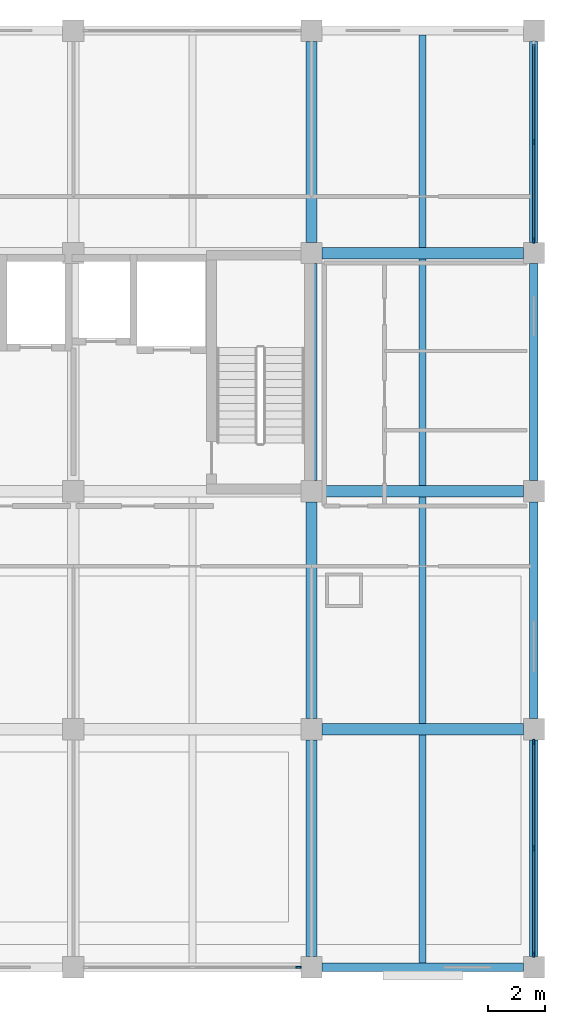
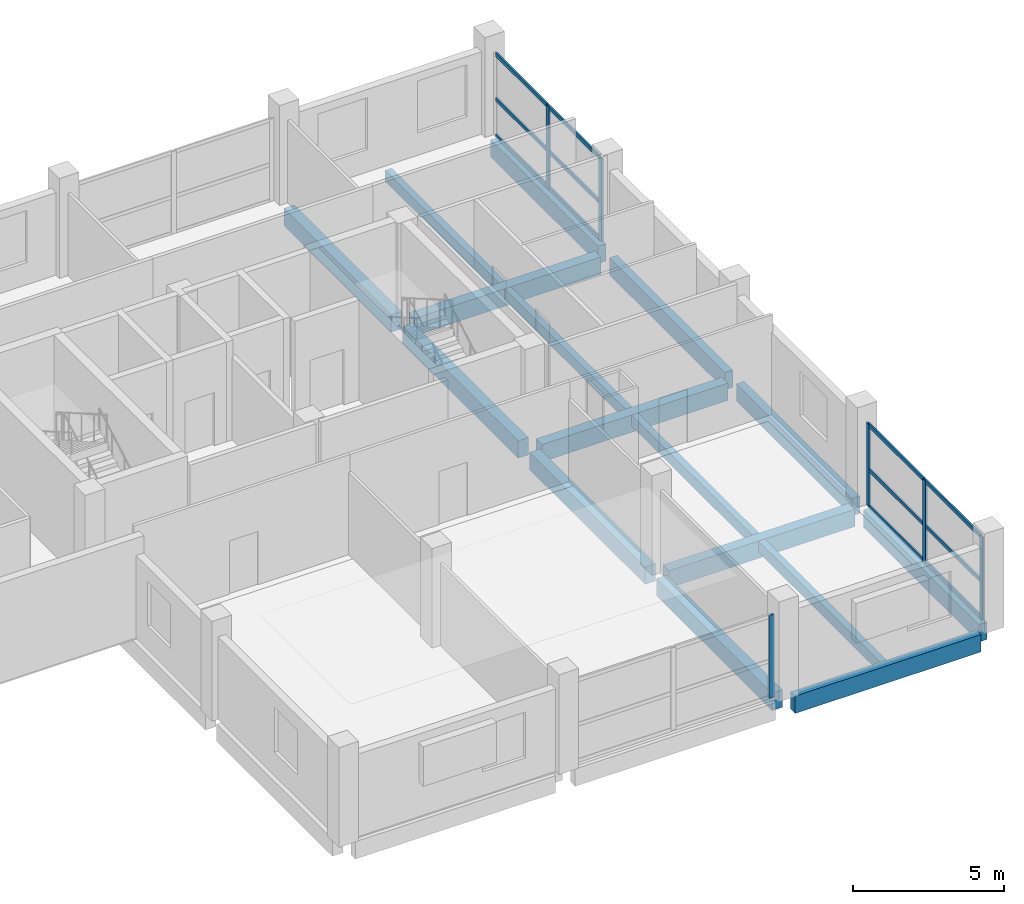
# One storey, part 4 of 9: 18 members, 16 beams, 3 elements without a shape of their own.
"""IFC4 building model written with IfcOpenShell, lengths in metres."""

from ifc_helpers import new_model, si_unit, direction, frame, origin, origin_2d, place, context, subcontext, project, spatial, rectangle, extrude, material, material_profile, profile_set, type_object, element, aggregate, save


model = new_model("IFC4")

# Units and contexts
model_context = context("Model", 3, precision=1e-05, world=origin(), true_north=direction((0.0, 1.0)))
body_context = subcontext(model_context, "Body", "Model", "MODEL_VIEW")
ifc_project = project(units=[si_unit("LENGTHUNIT", "METRE"), si_unit("AREAUNIT", "SQUARE_METRE"), si_unit("VOLUMEUNIT", "CUBIC_METRE"), si_unit("PLANEANGLEUNIT", "RADIAN"), si_unit("MASSUNIT", "GRAM", prefix="KILO")], contexts=[model_context])

# Site, building, storey
site_placement = place(None, origin())
site = spatial("IfcSite", under=ifc_project, at=site_placement, CompositionType="ELEMENT")
building_placement = place(site_placement, origin())
building = spatial("IfcBuilding", under=site, at=building_placement, Name="Brinegate Botanical Conservatory", CompositionType="ELEMENT")
storey_placement = place(building_placement, frame((0.0, 0.0, 52.800048828125)))
storey = spatial("IfcBuildingStorey", under=building, at=storey_placement, Name="L13", CompositionType="ELEMENT", Elevation=52.800048828125)

# Beams
ifc_material_1 = material(Name="Concrete C40/50", Category="concrete")
ifc_material_profile_1 = material_profile(ifc_material_1, rectangle(XDim=0.39990234375, YDim=0.699951171875, at=origin_2d()), Name="RC BM 400x700")
ifc_profile_set_1 = profile_set([ifc_material_profile_1], Name="Concrete C40/50")
beam_type_1 = type_object("IfcBeamType", Name="Beam_BM-T2", PredefinedType="BEAM", material=ifc_profile_set_1)
for number, where, z_axis, x_axis, name in (
    (1, (155.97509765625, 86.800048828125, -0.52001953125), (1.0, 0.0, 0.0), (0.0, 1.0, 0.0), "Beam BM-T2 L13 L:20-21"),
    (2, (155.97509765625, 95.199951171875, -0.52001953125), (1.0, 0.0, 0.0), (0.0, 1.0, 0.0), "Beam BM-T2 L13 M:20-21"),
    (3, (155.97509765625, 103.60009765625, -0.52001953125), (1.0, 0.0, 0.0), (0.0, 1.0, 0.0), "Beam BM-T2 L13 N:20-21"),
):
    element("IfcBeam", number, at=place(storey_placement, frame(where, z_axis=z_axis, x_axis=x_axis)), inside=storey, type_object=beam_type_1, Name=name, PredefinedType="BEAM", context=body_context, shape_type="SweptSolid", body=[
        extrude(rectangle(XDim=0.39990234375, YDim=0.699951171875, at=origin_2d()), origin(), (0.0, 0.0, 1.0), 7.099853515625),
    ])
beam_1_placement = place(storey_placement, frame((155.60009765625, 78.77490234375, -0.52001953125), z_axis=(0.0, 1.0, 0.0), x_axis=(-1.0, 0.0, 0.0)))
element("IfcBeam", 4, at=beam_1_placement, inside=storey, type_object=beam_type_1, Name="Beam BM-T2 L13 20:K-L", PredefinedType="BEAM", context=body_context, shape_type="SweptSolid", body=[
    extrude(rectangle(XDim=0.39990234375, YDim=0.699951171875, at=origin_2d()), origin(), (0.0, 0.0, 1.0), 7.650146484375),
])
beam_2_placement = place(storey_placement, frame((155.60009765625, 87.175048828125, -0.52001953125), z_axis=(0.0, 1.0, 0.0), x_axis=(-1.0, 0.0, 0.0)))
element("IfcBeam", 5, at=beam_2_placement, inside=storey, type_object=beam_type_1, Name="Beam BM-T2 L13 20:L-M", PredefinedType="BEAM", context=body_context, shape_type="SweptSolid", body=[
    extrude(rectangle(XDim=0.39990234375, YDim=0.699951171875, at=origin_2d()), origin(), (0.0, 0.0, 1.0), 7.64990234375),
])
beam_3_placement = place(storey_placement, frame((155.60009765625, 95.574951171875, -0.52001953125), z_axis=(0.0, 1.0, 0.0), x_axis=(-1.0, 0.0, 0.0)))
element("IfcBeam", 6, at=beam_3_placement, inside=storey, type_object=beam_type_1, Name="Beam BM-T2 L13 20:M-N", PredefinedType="BEAM", context=body_context, shape_type="SweptSolid", body=[
    extrude(rectangle(XDim=0.39990234375, YDim=0.699951171875, at=origin_2d()), origin(), (0.0, 0.0, 1.0), 7.650146484375),
])
beam_4_placement = place(storey_placement, frame((155.60009765625, 103.97509765625, -0.52001953125), z_axis=(0.0, 1.0, 0.0), x_axis=(-1.0, 0.0, 0.0)))
element("IfcBeam", 7, at=beam_4_placement, inside=storey, type_object=beam_type_1, Name="Beam BM-T2 L13 20:N-P", PredefinedType="BEAM", context=body_context, shape_type="SweptSolid", body=[
    extrude(rectangle(XDim=0.39990234375, YDim=0.699951171875, at=origin_2d()), origin(), (0.0, 0.0, 1.0), 7.099853515625),
])
ifc_material_profile_2 = material_profile(ifc_material_1, rectangle(XDim=0.25, YDim=0.449951171875, at=origin_2d()), Name="RC JST 250x450")
ifc_profile_set_2 = profile_set([ifc_material_profile_2], Name="Concrete C40/50")
beam_type_2 = type_object("IfcBeamType", Name="Beam_JS-C3", PredefinedType="JOIST", material=ifc_profile_set_2)
beam_5_placement = place(storey_placement, frame((159.52490234375, 78.550048828125, -0.39501953125), z_axis=(0.0, 1.0, 0.0), x_axis=(-1.0, 0.0, 0.0)))
element("IfcBeam", 8, at=beam_5_placement, inside=storey, type_object=beam_type_2, Name="Floor joist JS-C3 L13 bay 20.10", PredefinedType="JOIST", context=body_context, shape_type="SweptSolid", body=[
    extrude(rectangle(XDim=0.25, YDim=0.449951171875, at=origin_2d()), origin(), (0.0, 0.0, 1.0), 8.050048828125),
])
for number, where, z_axis, x_axis, name in (
    (9, (159.52490234375, 87.0, -0.39501953125), (0.0, 1.0, 0.0), (-1.0, 0.0, 0.0), "Floor joist JS-C3 L13 bay 20.11"),
    (10, (159.52490234375, 95.39990234375, -0.39501953125), (0.0, 1.0, 0.0), (-1.0, 0.0, 0.0), "Floor joist JS-C3 L13 bay 20.12"),
):
    element("IfcBeam", number, at=place(storey_placement, frame(where, z_axis=z_axis, x_axis=x_axis)), inside=storey, type_object=beam_type_2, Name=name, PredefinedType="JOIST", context=body_context, shape_type="SweptSolid", body=[
        extrude(rectangle(XDim=0.25, YDim=0.449951171875, at=origin_2d()), origin(), (0.0, 0.0, 1.0), 8.0),
    ])
beam_6_placement = place(storey_placement, frame((159.52490234375, 103.800048828125, -0.39501953125), z_axis=(0.0, 1.0, 0.0), x_axis=(-1.0, 0.0, 0.0)))
element("IfcBeam", 11, at=beam_6_placement, inside=storey, type_object=beam_type_2, Name="Floor joist JS-C3 L13 bay 20.13", PredefinedType="JOIST", context=body_context, shape_type="SweptSolid", body=[
    extrude(rectangle(XDim=0.25, YDim=0.449951171875, at=origin_2d()), origin(), (0.0, 0.0, 1.0), 7.5),
])
ifc_material_profile_3 = material_profile(ifc_material_1, rectangle(XDim=0.300048828125, YDim=0.699951171875, at=origin_2d()), Name="RC SPN 300x700")
ifc_profile_set_3 = profile_set([ifc_material_profile_3], Name="Concrete C40/50")
beam_type_3 = type_object("IfcBeamType", Name="Beam_SP-02", PredefinedType="SPANDREL", material=ifc_profile_set_3)
beam_7_placement = place(storey_placement, frame((155.97509765625, 78.39990234375, -0.52001953125), z_axis=(1.0, 0.0, 0.0), x_axis=(0.0, 1.0, 0.0)))
element("IfcBeam", 12, at=beam_7_placement, inside=storey, type_object=beam_type_3, Name="Beam SP-02 L13 K:20-21", PredefinedType="SPANDREL", context=body_context, shape_type="SweptSolid", body=[
    extrude(rectangle(XDim=0.300048828125, YDim=0.699951171875, at=origin_2d()), origin(), (0.0, 0.0, 1.0), 7.099853515625),
])
beam_8_placement = place(storey_placement, frame((163.449951171875, 78.77490234375, -0.52001953125), z_axis=(0.0, 1.0, 0.0), x_axis=(-1.0, 0.0, 0.0)))
element("IfcBeam", 13, at=beam_8_placement, inside=storey, type_object=beam_type_3, Name="Beam SP-02 L13 21:K-L", PredefinedType="SPANDREL", context=body_context, shape_type="SweptSolid", body=[
    extrude(rectangle(XDim=0.300048828125, YDim=0.699951171875, at=origin_2d()), origin(), (0.0, 0.0, 1.0), 7.650146484375),
])
beam_9_placement = place(storey_placement, frame((163.449951171875, 87.175048828125, -0.52001953125), z_axis=(0.0, 1.0, 0.0), x_axis=(-1.0, 0.0, 0.0)))
element("IfcBeam", 14, at=beam_9_placement, inside=storey, type_object=beam_type_3, Name="Beam SP-02 L13 21:L-M", PredefinedType="SPANDREL", context=body_context, shape_type="SweptSolid", body=[
    extrude(rectangle(XDim=0.300048828125, YDim=0.699951171875, at=origin_2d()), origin(), (0.0, 0.0, 1.0), 7.64990234375),
])
beam_10_placement = place(storey_placement, frame((163.449951171875, 95.574951171875, -0.52001953125), z_axis=(0.0, 1.0, 0.0), x_axis=(-1.0, 0.0, 0.0)))
element("IfcBeam", 15, at=beam_10_placement, inside=storey, type_object=beam_type_3, Name="Beam SP-02 L13 21:M-N", PredefinedType="SPANDREL", context=body_context, shape_type="SweptSolid", body=[
    extrude(rectangle(XDim=0.300048828125, YDim=0.699951171875, at=origin_2d()), origin(), (0.0, 0.0, 1.0), 7.650146484375),
])
beam_11_placement = place(storey_placement, frame((163.449951171875, 103.97509765625, -0.52001953125), z_axis=(0.0, 1.0, 0.0), x_axis=(-1.0, 0.0, 0.0)))
element("IfcBeam", 16, at=beam_11_placement, inside=storey, type_object=beam_type_3, Name="Beam SP-02 L13 21:N-P", PredefinedType="SPANDREL", context=body_context, shape_type="SweptSolid", body=[
    extrude(rectangle(XDim=0.300048828125, YDim=0.699951171875, at=origin_2d()), origin(), (0.0, 0.0, 1.0), 7.099853515625),
])

# Curtain wall, member
ifc_material_2 = material(Name="Thermally broken anodised aluminium AW-6063-T6", Category="aluminium")
curtain_wall_type = type_object("IfcCurtainWallType", Name="CW_CW-TW1", PredefinedType="USERDEFINED", material=ifc_material_2)
curtain_wall_1_placement = place(storey_placement, origin())
curtain_wall_1 = element("IfcCurtainWall", 17, at=curtain_wall_1_placement, inside=storey, type_object=curtain_wall_type, Name="Tower south curtain wall L13.2", ObjectType="FACTORY CURTAIN WALL", PredefinedType="USERDEFINED")
ifc_material_profile_4 = material_profile(ifc_material_2, rectangle(XDim=0.070068359375, YDim=0.199951171875, at=origin_2d()), Name="ALUM MULLION 70x200")
ifc_profile_set_4 = profile_set([ifc_material_profile_4], Name="Thermally broken anodised aluminium AW-6063-T6")
member_type_1 = type_object("IfcMemberType", Name="Member_ML-03", PredefinedType="MULLION", material=ifc_profile_set_4)
member_1_placement = place(storey_placement, frame((155.14990234375, 78.39990234375, 0.0), z_axis=(0.0, 0.0, 1.0), x_axis=(0.0, -1.0, 0.0)))
member_1 = element("IfcMember", 18, at=member_1_placement, type_object=member_type_1, Name="CW-TW1 mullion 1", PredefinedType="MULLION", context=body_context, shape_type="SweptSolid", body=[
    extrude(rectangle(XDim=0.070068359375, YDim=0.199951171875, at=origin_2d()), origin(), (0.0, 0.0, 1.0), 3.329833984375),
])
aggregate(curtain_wall_1, [member_1])

# Curtain wall, members
curtain_wall_2_placement = place(storey_placement, origin())
curtain_wall_2 = element("IfcCurtainWall", 19, at=curtain_wall_2_placement, inside=storey, type_object=curtain_wall_type, Name="Tower east curtain wall L13.1", ObjectType="FACTORY CURTAIN WALL", PredefinedType="USERDEFINED")
member_2_placement = place(storey_placement, frame((163.449951171875, 86.35009765625, 0.0), z_axis=(0.0, 0.0, 1.0), x_axis=(1.0, 0.0, 0.0)))
member_2 = element("IfcMember", 20, at=member_2_placement, type_object=member_type_1, Name="CW-TW1 mullion 1", PredefinedType="MULLION", context=body_context, shape_type="SweptSolid", body=[
    extrude(rectangle(XDim=0.070068359375, YDim=0.199951171875, at=origin_2d()), origin(), (0.0, 0.0, 1.0), 3.329833984375),
])
member_3_placement = place(storey_placement, frame((163.449951171875, 82.60009765625, 0.0), z_axis=(0.0, 0.0, 1.0), x_axis=(1.0, 0.0, 0.0)))
member_3 = element("IfcMember", 21, at=member_3_placement, type_object=member_type_1, Name="CW-TW1 mullion 2", PredefinedType="MULLION", context=body_context, shape_type="SweptSolid", body=[
    extrude(rectangle(XDim=0.070068359375, YDim=0.199951171875, at=origin_2d()), origin(), (0.0, 0.0, 1.0), 3.329833984375),
])
member_4_placement = place(storey_placement, frame((163.449951171875, 78.85009765625, 0.0), z_axis=(0.0, 0.0, 1.0), x_axis=(1.0, 0.0, 0.0)))
member_4 = element("IfcMember", 22, at=member_4_placement, type_object=member_type_1, Name="CW-TW1 mullion 3", PredefinedType="MULLION", context=body_context, shape_type="SweptSolid", body=[
    extrude(rectangle(XDim=0.070068359375, YDim=0.199951171875, at=origin_2d()), origin(), (0.0, 0.0, 1.0), 3.329833984375),
])

curtain_wall_3_placement = place(storey_placement, origin())
curtain_wall_3 = element("IfcCurtainWall", 23, at=curtain_wall_3_placement, inside=storey, type_object=curtain_wall_type, Name="Tower east curtain wall L13.4", ObjectType="FACTORY CURTAIN WALL", PredefinedType="USERDEFINED")
member_5_placement = place(storey_placement, frame((163.449951171875, 107.52490234375, 0.0), z_axis=(0.0, 0.0, 1.0), x_axis=(1.0, 0.0, 0.0)))
member_5 = element("IfcMember", 24, at=member_5_placement, type_object=member_type_1, Name="CW-TW1 mullion 2", PredefinedType="MULLION", context=body_context, shape_type="SweptSolid", body=[
    extrude(rectangle(XDim=0.070068359375, YDim=0.199951171875, at=origin_2d()), origin(), (0.0, 0.0, 1.0), 3.329833984375),
])
member_6_placement = place(storey_placement, frame((163.449951171875, 104.050048828125, 0.0), z_axis=(0.0, 0.0, 1.0), x_axis=(1.0, 0.0, 0.0)))
member_6 = element("IfcMember", 25, at=member_6_placement, type_object=member_type_1, Name="CW-TW1 mullion 3", PredefinedType="MULLION", context=body_context, shape_type="SweptSolid", body=[
    extrude(rectangle(XDim=0.070068359375, YDim=0.199951171875, at=origin_2d()), origin(), (0.0, 0.0, 1.0), 3.329833984375),
])

# Member
ifc_material_profile_5 = material_profile(ifc_material_2, rectangle(XDim=0.070068359375, YDim=0.14990234375, at=origin_2d()), Name="ALUM TRANSOM 70x150")
ifc_profile_set_5 = profile_set([ifc_material_profile_5], Name="Thermally broken anodised aluminium AW-6063-T6")
member_type_2 = type_object("IfcMemberType", Name="Member_TR-03", PredefinedType="USERDEFINED", material=ifc_profile_set_5)
member_7_placement = place(storey_placement, frame((163.449951171875, 86.31494140625, 0.034912109375), z_axis=(0.0, -1.0, 0.0), x_axis=(1.0, 0.0, 0.0)))
member_7 = element("IfcMember", 26, at=member_7_placement, type_object=member_type_2, Name="CW-TW1 transom 1.1", ObjectType="TRANSOM", PredefinedType="USERDEFINED", context=body_context, shape_type="SweptSolid", body=[
    extrude(rectangle(XDim=0.070068359375, YDim=0.14990234375, at=origin_2d()), origin(), (0.0, 0.0, 1.0), 3.679931640625),
])

member_8_placement = place(storey_placement, frame((163.449951171875, 86.31494140625, 1.498046875), z_axis=(0.0, -1.0, 0.0), x_axis=(1.0, 0.0, 0.0)))
member_8 = element("IfcMember", 27, at=member_8_placement, type_object=member_type_2, Name="CW-TW1 transom 1.2", ObjectType="TRANSOM", PredefinedType="USERDEFINED", context=body_context, shape_type="SweptSolid", body=[
    extrude(rectangle(XDim=0.070068359375, YDim=0.14990234375, at=origin_2d()), origin(), (0.0, 0.0, 1.0), 3.679931640625),
])

member_9_placement = place(storey_placement, frame((163.449951171875, 86.31494140625, 3.294921875), z_axis=(0.0, -1.0, 0.0), x_axis=(1.0, 0.0, 0.0)))
member_9 = element("IfcMember", 28, at=member_9_placement, type_object=member_type_2, Name="CW-TW1 transom 1.3", ObjectType="TRANSOM", PredefinedType="USERDEFINED", context=body_context, shape_type="SweptSolid", body=[
    extrude(rectangle(XDim=0.070068359375, YDim=0.14990234375, at=origin_2d()), origin(), (0.0, 0.0, 1.0), 3.679931640625),
])

member_10_placement = place(storey_placement, frame((163.449951171875, 82.56494140625, 0.034912109375), z_axis=(0.0, -1.0, 0.0), x_axis=(1.0, 0.0, 0.0)))
member_10 = element("IfcMember", 29, at=member_10_placement, type_object=member_type_2, Name="CW-TW1 transom 2.1", ObjectType="TRANSOM", PredefinedType="USERDEFINED", context=body_context, shape_type="SweptSolid", body=[
    extrude(rectangle(XDim=0.070068359375, YDim=0.14990234375, at=origin_2d()), origin(), (0.0, 0.0, 1.0), 3.679931640625),
])

member_11_placement = place(storey_placement, frame((163.449951171875, 82.56494140625, 1.498046875), z_axis=(0.0, -1.0, 0.0), x_axis=(1.0, 0.0, 0.0)))
member_11 = element("IfcMember", 30, at=member_11_placement, type_object=member_type_2, Name="CW-TW1 transom 2.2", ObjectType="TRANSOM", PredefinedType="USERDEFINED", context=body_context, shape_type="SweptSolid", body=[
    extrude(rectangle(XDim=0.070068359375, YDim=0.14990234375, at=origin_2d()), origin(), (0.0, 0.0, 1.0), 3.679931640625),
])

member_12_placement = place(storey_placement, frame((163.449951171875, 82.56494140625, 3.294921875), z_axis=(0.0, -1.0, 0.0), x_axis=(1.0, 0.0, 0.0)))
member_12 = element("IfcMember", 31, at=member_12_placement, type_object=member_type_2, Name="CW-TW1 transom 2.3", ObjectType="TRANSOM", PredefinedType="USERDEFINED", context=body_context, shape_type="SweptSolid", body=[
    extrude(rectangle(XDim=0.070068359375, YDim=0.14990234375, at=origin_2d()), origin(), (0.0, 0.0, 1.0), 3.679931640625),
])

aggregate(curtain_wall_2, [member_2, member_3, member_4, member_7, member_8, member_9, member_10, member_11, member_12])

member_13_placement = place(storey_placement, frame((163.449951171875, 110.965087890625, 0.034912109375), z_axis=(0.0, -1.0, 0.0), x_axis=(1.0, 0.0, 0.0)))
member_13 = element("IfcMember", 32, at=member_13_placement, type_object=member_type_2, Name="CW-TW1 transom 1.1", ObjectType="TRANSOM", PredefinedType="USERDEFINED", context=body_context, shape_type="SweptSolid", body=[
    extrude(rectangle(XDim=0.070068359375, YDim=0.14990234375, at=origin_2d()), origin(), (0.0, 0.0, 1.0), 3.405029296875),
])

member_14_placement = place(storey_placement, frame((163.449951171875, 110.965087890625, 1.498046875), z_axis=(0.0, -1.0, 0.0), x_axis=(1.0, 0.0, 0.0)))
member_14 = element("IfcMember", 33, at=member_14_placement, type_object=member_type_2, Name="CW-TW1 transom 1.2", ObjectType="TRANSOM", PredefinedType="USERDEFINED", context=body_context, shape_type="SweptSolid", body=[
    extrude(rectangle(XDim=0.070068359375, YDim=0.14990234375, at=origin_2d()), origin(), (0.0, 0.0, 1.0), 3.405029296875),
])

member_15_placement = place(storey_placement, frame((163.449951171875, 110.965087890625, 3.294921875), z_axis=(0.0, -1.0, 0.0), x_axis=(1.0, 0.0, 0.0)))
member_15 = element("IfcMember", 34, at=member_15_placement, type_object=member_type_2, Name="CW-TW1 transom 1.3", ObjectType="TRANSOM", PredefinedType="USERDEFINED", context=body_context, shape_type="SweptSolid", body=[
    extrude(rectangle(XDim=0.070068359375, YDim=0.14990234375, at=origin_2d()), origin(), (0.0, 0.0, 1.0), 3.405029296875),
])

member_16_placement = place(storey_placement, frame((163.449951171875, 107.489990234375, 0.034912109375), z_axis=(0.0, -1.0, 0.0), x_axis=(1.0, 0.0, 0.0)))
member_16 = element("IfcMember", 35, at=member_16_placement, type_object=member_type_2, Name="CW-TW1 transom 2.1", ObjectType="TRANSOM", PredefinedType="USERDEFINED", context=body_context, shape_type="SweptSolid", body=[
    extrude(rectangle(XDim=0.070068359375, YDim=0.14990234375, at=origin_2d()), origin(), (0.0, 0.0, 1.0), 3.405029296875),
])

member_17_placement = place(storey_placement, frame((163.449951171875, 107.489990234375, 1.498046875), z_axis=(0.0, -1.0, 0.0), x_axis=(1.0, 0.0, 0.0)))
member_17 = element("IfcMember", 36, at=member_17_placement, type_object=member_type_2, Name="CW-TW1 transom 2.2", ObjectType="TRANSOM", PredefinedType="USERDEFINED", context=body_context, shape_type="SweptSolid", body=[
    extrude(rectangle(XDim=0.070068359375, YDim=0.14990234375, at=origin_2d()), origin(), (0.0, 0.0, 1.0), 3.405029296875),
])

member_18_placement = place(storey_placement, frame((163.449951171875, 107.489990234375, 3.294921875), z_axis=(0.0, -1.0, 0.0), x_axis=(1.0, 0.0, 0.0)))
member_18 = element("IfcMember", 37, at=member_18_placement, type_object=member_type_2, Name="CW-TW1 transom 2.3", ObjectType="TRANSOM", PredefinedType="USERDEFINED", context=body_context, shape_type="SweptSolid", body=[
    extrude(rectangle(XDim=0.070068359375, YDim=0.14990234375, at=origin_2d()), origin(), (0.0, 0.0, 1.0), 3.405029296875),
])

aggregate(curtain_wall_3, [member_5, member_6, member_13, member_14, member_15, member_16, member_17, member_18])

save(model, "model.ifc")
